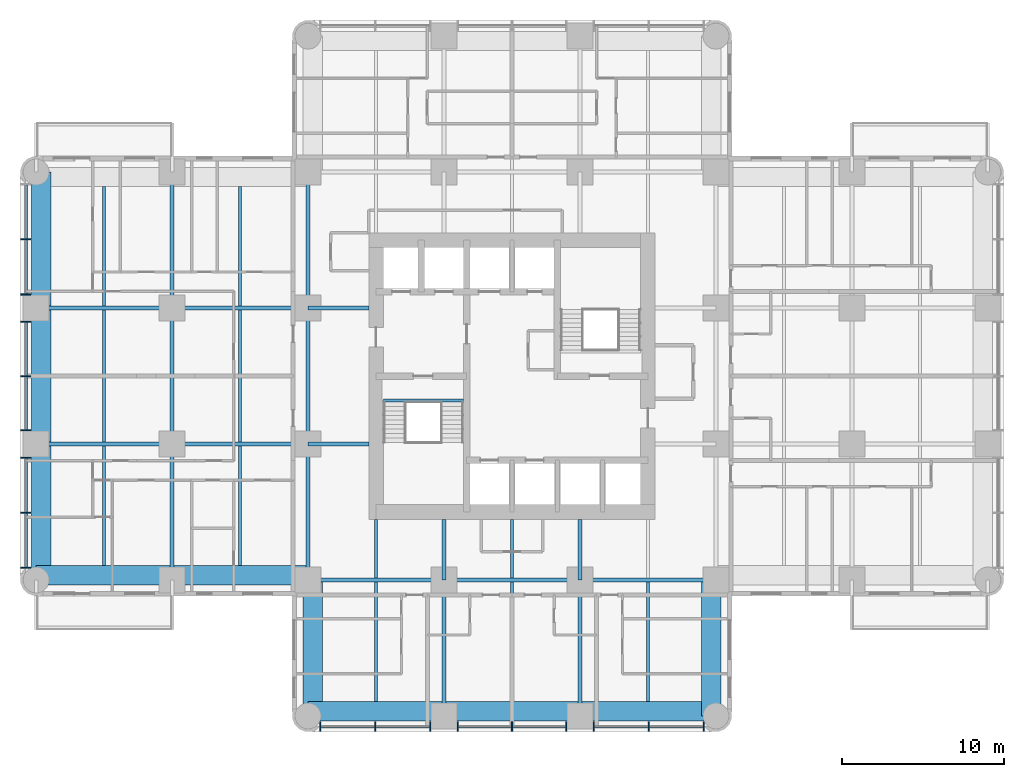
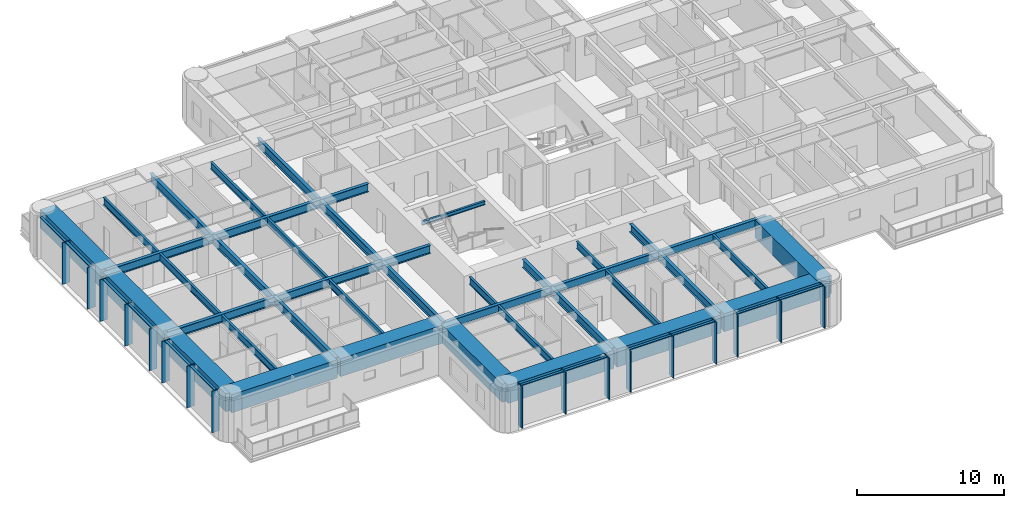
# One storey, part 2 of 14: 41 beams, 29 members, 2 elements without a shape of their own.
"""IFC4 building model written with IfcOpenShell, lengths in metres."""

from ifc_helpers import new_model, si_unit, direction, frame, origin, origin_2d, place, context, subcontext, project, spatial, rectangle, i_section, extrude, material, material_profile, profile_set, type_object, element, aggregate, save


model = new_model("IFC4")

# Units and contexts
model_context = context("Model", 3, precision=1e-05, world=origin(), true_north=direction((0.0, 1.0)))
body_context = subcontext(model_context, "Body", "Model", "MODEL_VIEW")
ifc_project = project(units=[si_unit("LENGTHUNIT", "METRE"), si_unit("AREAUNIT", "SQUARE_METRE"), si_unit("VOLUMEUNIT", "CUBIC_METRE"), si_unit("PLANEANGLEUNIT", "RADIAN"), si_unit("MASSUNIT", "GRAM", prefix="KILO")], contexts=[model_context])

# Site, building, storey
site_placement = place(None, origin())
site = spatial("IfcSite", under=ifc_project, at=site_placement, CompositionType="ELEMENT")
building_placement = place(site_placement, origin())
building = spatial("IfcBuilding", under=site, at=building_placement, Name="Torre Alcanfor", CompositionType="ELEMENT")
storey_placement = place(building_placement, frame((0.0, 0.0, 155.699951171875)))
storey = spatial("IfcBuildingStorey", under=building, at=storey_placement, Name="L40", CompositionType="ELEMENT", Elevation=155.699951171875)

# Curtain wall, members
ifc_material_1 = material(Name="Aluminium and glass", Category="aluminium")
curtain_wall_type = type_object("IfcCurtainWallType", Name="CW-A unitised apartment glazing with vertical FIN", PredefinedType="NOTDEFINED", material=ifc_material_1)
curtain_wall_1_placement = place(storey_placement, origin())
curtain_wall_1 = element("IfcCurtainWall", 1, at=curtain_wall_1_placement, inside=storey, type_object=curtain_wall_type, Name="Curtain wall CW-A L40 2", PredefinedType="NOTDEFINED")
ifc_material_2 = material(Name="Bronze anodised aluminium", Category="aluminium")
ifc_material_profile_1 = material_profile(ifc_material_2, rectangle(XDim=0.60009765625, YDim=0.06494140625, at=origin_2d()), Name="CW-A mullion 65x600")
ifc_profile_set_1 = profile_set([ifc_material_profile_1], Name="Bronze anodised aluminium")
member_type_1 = type_object("IfcMemberType", Name="CW-A mullion with vertical FIN 65x600", PredefinedType="MULLION", material=ifc_profile_set_1)
member_1_placement = place(storey_placement, frame((-0.64990234375, 37.840087890625, 0.0), z_axis=(0.0, 0.0, 1.0), x_axis=(1.0, 0.0, 0.0)))
member_1 = element("IfcMember", 2, at=member_1_placement, type_object=member_type_1, Name="CW-A mullion 1.2", PredefinedType="MULLION", context=body_context, shape_type="SweptSolid", body=[
    extrude(rectangle(XDim=0.60009765625, YDim=0.06494140625, at=origin_2d()), origin(), (0.0, 0.0, 1.0), 3.449951171875),
])
member_2_placement = place(storey_placement, frame((-0.64990234375, 34.4375, 0.0), z_axis=(0.0, 0.0, 1.0), x_axis=(1.0, 0.0, 0.0)))
member_2 = element("IfcMember", 3, at=member_2_placement, type_object=member_type_1, Name="CW-A mullion 1.3", PredefinedType="MULLION", context=body_context, shape_type="SweptSolid", body=[
    extrude(rectangle(XDim=0.60009765625, YDim=0.06494140625, at=origin_2d()), origin(), (0.0, 0.0, 1.0), 3.449951171875),
])
member_3_placement = place(storey_placement, frame((-0.64990234375, 32.762451171875, 0.0), z_axis=(0.0, 0.0, 1.0), x_axis=(1.0, 0.0, 0.0)))
member_3 = element("IfcMember", 4, at=member_3_placement, type_object=member_type_1, Name="CW-A mullion 2.1", PredefinedType="MULLION", context=body_context, shape_type="SweptSolid", body=[
    extrude(rectangle(XDim=0.60009765625, YDim=0.06494140625, at=origin_2d()), origin(), (0.0, 0.0, 1.0), 3.449951171875),
])
member_4_placement = place(storey_placement, frame((-0.64990234375, 29.39990234375, 0.0), z_axis=(0.0, 0.0, 1.0), x_axis=(1.0, 0.0, 0.0)))
member_4 = element("IfcMember", 5, at=member_4_placement, type_object=member_type_1, Name="CW-A mullion 2.2", PredefinedType="MULLION", context=body_context, shape_type="SweptSolid", body=[
    extrude(rectangle(XDim=0.60009765625, YDim=0.06494140625, at=origin_2d()), origin(), (0.0, 0.0, 1.0), 3.449951171875),
])
member_5_placement = place(storey_placement, frame((-0.64990234375, 26.03759765625, 0.0), z_axis=(0.0, 0.0, 1.0), x_axis=(1.0, 0.0, 0.0)))
member_5 = element("IfcMember", 6, at=member_5_placement, type_object=member_type_1, Name="CW-A mullion 2.3", PredefinedType="MULLION", context=body_context, shape_type="SweptSolid", body=[
    extrude(rectangle(XDim=0.60009765625, YDim=0.06494140625, at=origin_2d()), origin(), (0.0, 0.0, 1.0), 3.449951171875),
])
member_6_placement = place(storey_placement, frame((-0.64990234375, 24.362548828125, 0.0), z_axis=(0.0, 0.0, 1.0), x_axis=(1.0, 0.0, 0.0)))
member_6 = element("IfcMember", 7, at=member_6_placement, type_object=member_type_1, Name="CW-A mullion 3.1", PredefinedType="MULLION", context=body_context, shape_type="SweptSolid", body=[
    extrude(rectangle(XDim=0.60009765625, YDim=0.06494140625, at=origin_2d()), origin(), (0.0, 0.0, 1.0), 3.449951171875),
])
member_7_placement = place(storey_placement, frame((-0.64990234375, 20.9599609375, 0.0), z_axis=(0.0, 0.0, 1.0), x_axis=(1.0, 0.0, 0.0)))
member_7 = element("IfcMember", 8, at=member_7_placement, type_object=member_type_1, Name="CW-A mullion 3.2", PredefinedType="MULLION", context=body_context, shape_type="SweptSolid", body=[
    extrude(rectangle(XDim=0.60009765625, YDim=0.06494140625, at=origin_2d()), origin(), (0.0, 0.0, 1.0), 3.449951171875),
])
member_8_placement = place(storey_placement, frame((-0.64990234375, 17.557373046875, 0.0), z_axis=(0.0, 0.0, 1.0), x_axis=(1.0, 0.0, 0.0)))
member_8 = element("IfcMember", 9, at=member_8_placement, type_object=member_type_1, Name="CW-A mullion 3.3", PredefinedType="MULLION", context=body_context, shape_type="SweptSolid", body=[
    extrude(rectangle(XDim=0.60009765625, YDim=0.06494140625, at=origin_2d()), origin(), (0.0, 0.0, 1.0), 3.449951171875),
])

curtain_wall_2_placement = place(storey_placement, origin())
curtain_wall_2 = element("IfcCurtainWall", 10, at=curtain_wall_2_placement, inside=storey, type_object=curtain_wall_type, Name="Curtain wall CW-A L40 5", PredefinedType="NOTDEFINED")
member_9_placement = place(storey_placement, frame((17.557373046875, 7.75, 0.0), z_axis=(0.0, 0.0, 1.0), x_axis=(0.0, 1.0, 0.0)))
member_9 = element("IfcMember", 11, at=member_9_placement, type_object=member_type_1, Name="CW-A mullion 1.1", PredefinedType="MULLION", context=body_context, shape_type="SweptSolid", body=[
    extrude(rectangle(XDim=0.60009765625, YDim=0.06494140625, at=origin_2d()), origin(), (0.0, 0.0, 1.0), 3.449951171875),
])
member_10_placement = place(storey_placement, frame((20.9599609375, 7.75, 0.0), z_axis=(0.0, 0.0, 1.0), x_axis=(0.0, 1.0, 0.0)))
member_10 = element("IfcMember", 12, at=member_10_placement, type_object=member_type_1, Name="CW-A mullion 1.2", PredefinedType="MULLION", context=body_context, shape_type="SweptSolid", body=[
    extrude(rectangle(XDim=0.60009765625, YDim=0.06494140625, at=origin_2d()), origin(), (0.0, 0.0, 1.0), 3.449951171875),
])
member_11_placement = place(storey_placement, frame((24.362548828125, 7.75, 0.0), z_axis=(0.0, 0.0, 1.0), x_axis=(0.0, 1.0, 0.0)))
member_11 = element("IfcMember", 13, at=member_11_placement, type_object=member_type_1, Name="CW-A mullion 1.3", PredefinedType="MULLION", context=body_context, shape_type="SweptSolid", body=[
    extrude(rectangle(XDim=0.60009765625, YDim=0.06494140625, at=origin_2d()), origin(), (0.0, 0.0, 1.0), 3.449951171875),
])
member_12_placement = place(storey_placement, frame((26.03759765625, 7.75, 0.0), z_axis=(0.0, 0.0, 1.0), x_axis=(0.0, 1.0, 0.0)))
member_12 = element("IfcMember", 14, at=member_12_placement, type_object=member_type_1, Name="CW-A mullion 2.1", PredefinedType="MULLION", context=body_context, shape_type="SweptSolid", body=[
    extrude(rectangle(XDim=0.60009765625, YDim=0.06494140625, at=origin_2d()), origin(), (0.0, 0.0, 1.0), 3.449951171875),
])
member_13_placement = place(storey_placement, frame((29.39990234375, 7.75, 0.0), z_axis=(0.0, 0.0, 1.0), x_axis=(0.0, 1.0, 0.0)))
member_13 = element("IfcMember", 15, at=member_13_placement, type_object=member_type_1, Name="CW-A mullion 2.2", PredefinedType="MULLION", context=body_context, shape_type="SweptSolid", body=[
    extrude(rectangle(XDim=0.60009765625, YDim=0.06494140625, at=origin_2d()), origin(), (0.0, 0.0, 1.0), 3.449951171875),
])
member_14_placement = place(storey_placement, frame((32.762451171875, 7.75, 0.0), z_axis=(0.0, 0.0, 1.0), x_axis=(0.0, 1.0, 0.0)))
member_14 = element("IfcMember", 16, at=member_14_placement, type_object=member_type_1, Name="CW-A mullion 2.3", PredefinedType="MULLION", context=body_context, shape_type="SweptSolid", body=[
    extrude(rectangle(XDim=0.60009765625, YDim=0.06494140625, at=origin_2d()), origin(), (0.0, 0.0, 1.0), 3.449951171875),
])
member_15_placement = place(storey_placement, frame((34.4375, 7.75, 0.0), z_axis=(0.0, 0.0, 1.0), x_axis=(0.0, 1.0, 0.0)))
member_15 = element("IfcMember", 17, at=member_15_placement, type_object=member_type_1, Name="CW-A mullion 3.1", PredefinedType="MULLION", context=body_context, shape_type="SweptSolid", body=[
    extrude(rectangle(XDim=0.60009765625, YDim=0.06494140625, at=origin_2d()), origin(), (0.0, 0.0, 1.0), 3.449951171875),
])
member_16_placement = place(storey_placement, frame((37.840087890625, 7.75, 0.0), z_axis=(0.0, 0.0, 1.0), x_axis=(0.0, 1.0, 0.0)))
member_16 = element("IfcMember", 18, at=member_16_placement, type_object=member_type_1, Name="CW-A mullion 3.2", PredefinedType="MULLION", context=body_context, shape_type="SweptSolid", body=[
    extrude(rectangle(XDim=0.60009765625, YDim=0.06494140625, at=origin_2d()), origin(), (0.0, 0.0, 1.0), 3.449951171875),
])
member_17_placement = place(storey_placement, frame((41.24267578125, 7.75, 0.0), z_axis=(0.0, 0.0, 1.0), x_axis=(0.0, 1.0, 0.0)))
member_17 = element("IfcMember", 19, at=member_17_placement, type_object=member_type_1, Name="CW-A mullion 3.3", PredefinedType="MULLION", context=body_context, shape_type="SweptSolid", body=[
    extrude(rectangle(XDim=0.60009765625, YDim=0.06494140625, at=origin_2d()), origin(), (0.0, 0.0, 1.0), 3.449951171875),
])

# Member
ifc_material_3 = material(Name="Extruded aluminium", Category="aluminium")
ifc_material_profile_2 = material_profile(ifc_material_3, rectangle(XDim=0.199951171875, YDim=0.06494140625, at=origin_2d()), Name="CW-A transom 200x65")
ifc_profile_set_2 = profile_set([ifc_material_profile_2], Name="Extruded aluminium")
member_type_2 = type_object("IfcMemberType", Name="CW-A transom 65x200", PredefinedType="USERDEFINED", material=ifc_profile_set_2)
member_18_placement = place(storey_placement, frame((-0.64990234375, 41.210205078125, 3.41748046875), z_axis=(0.0, -1.0, 0.0), x_axis=(1.0, 0.0, 0.0)))
member_18 = element("IfcMember", 20, at=member_18_placement, type_object=member_type_2, Name="CW-A transom 1.1.2", ObjectType="TRANSOM", PredefinedType="USERDEFINED", context=body_context, shape_type="SweptSolid", body=[
    extrude(rectangle(XDim=0.199951171875, YDim=0.06494140625, at=origin_2d()), origin(), (0.0, 0.0, 1.0), 3.337646484375),
])

member_19_placement = place(storey_placement, frame((-0.64990234375, 37.8076171875, 3.41748046875), z_axis=(0.0, -1.0, 0.0), x_axis=(1.0, 0.0, 0.0)))
member_19 = element("IfcMember", 21, at=member_19_placement, type_object=member_type_2, Name="CW-A transom 1.2.2", ObjectType="TRANSOM", PredefinedType="USERDEFINED", context=body_context, shape_type="SweptSolid", body=[
    extrude(rectangle(XDim=0.199951171875, YDim=0.06494140625, at=origin_2d()), origin(), (0.0, 0.0, 1.0), 3.337646484375),
])

member_20_placement = place(storey_placement, frame((-0.64990234375, 32.72998046875, 3.41748046875), z_axis=(0.0, -1.0, 0.0), x_axis=(1.0, 0.0, 0.0)))
member_20 = element("IfcMember", 22, at=member_20_placement, type_object=member_type_2, Name="CW-A transom 2.1.2", ObjectType="TRANSOM", PredefinedType="USERDEFINED", context=body_context, shape_type="SweptSolid", body=[
    extrude(rectangle(XDim=0.199951171875, YDim=0.06494140625, at=origin_2d()), origin(), (0.0, 0.0, 1.0), 3.29736328125),
])

member_21_placement = place(storey_placement, frame((-0.64990234375, 29.367431640625, 3.41748046875), z_axis=(0.0, -1.0, 0.0), x_axis=(1.0, 0.0, 0.0)))
member_21 = element("IfcMember", 23, at=member_21_placement, type_object=member_type_2, Name="CW-A transom 2.2.2", ObjectType="TRANSOM", PredefinedType="USERDEFINED", context=body_context, shape_type="SweptSolid", body=[
    extrude(rectangle(XDim=0.199951171875, YDim=0.06494140625, at=origin_2d()), origin(), (0.0, 0.0, 1.0), 3.29736328125),
])

member_22_placement = place(storey_placement, frame((-0.64990234375, 24.330078125, 3.41748046875), z_axis=(0.0, -1.0, 0.0), x_axis=(1.0, 0.0, 0.0)))
member_22 = element("IfcMember", 24, at=member_22_placement, type_object=member_type_2, Name="CW-A transom 3.1.2", ObjectType="TRANSOM", PredefinedType="USERDEFINED", context=body_context, shape_type="SweptSolid", body=[
    extrude(rectangle(XDim=0.199951171875, YDim=0.06494140625, at=origin_2d()), origin(), (0.0, 0.0, 1.0), 3.337646484375),
])

member_23_placement = place(storey_placement, frame((-0.64990234375, 20.927490234375, 3.41748046875), z_axis=(0.0, -1.0, 0.0), x_axis=(1.0, 0.0, 0.0)))
member_23 = element("IfcMember", 25, at=member_23_placement, type_object=member_type_2, Name="CW-A transom 3.2.2", ObjectType="TRANSOM", PredefinedType="USERDEFINED", context=body_context, shape_type="SweptSolid", body=[
    extrude(rectangle(XDim=0.199951171875, YDim=0.06494140625, at=origin_2d()), origin(), (0.0, 0.0, 1.0), 3.337646484375),
])

aggregate(curtain_wall_1, [member_1, member_2, member_18, member_19, member_3, member_4, member_5, member_20, member_21, member_6, member_7, member_8, member_22, member_23])

member_24_placement = place(storey_placement, frame((17.58984375, 7.75, 3.41748046875), z_axis=(1.0, 0.0, 0.0), x_axis=(0.0, 1.0, 0.0)))
member_24 = element("IfcMember", 26, at=member_24_placement, type_object=member_type_2, Name="CW-A transom 1.1.2", ObjectType="TRANSOM", PredefinedType="USERDEFINED", context=body_context, shape_type="SweptSolid", body=[
    extrude(rectangle(XDim=0.199951171875, YDim=0.06494140625, at=origin_2d()), origin(), (0.0, 0.0, 1.0), 3.337646484375),
])

member_25_placement = place(storey_placement, frame((20.992431640625, 7.75, 3.41748046875), z_axis=(1.0, 0.0, 0.0), x_axis=(0.0, 1.0, 0.0)))
member_25 = element("IfcMember", 27, at=member_25_placement, type_object=member_type_2, Name="CW-A transom 1.2.2", ObjectType="TRANSOM", PredefinedType="USERDEFINED", context=body_context, shape_type="SweptSolid", body=[
    extrude(rectangle(XDim=0.199951171875, YDim=0.06494140625, at=origin_2d()), origin(), (0.0, 0.0, 1.0), 3.337646484375),
])

member_26_placement = place(storey_placement, frame((26.070068359375, 7.75, 3.41748046875), z_axis=(1.0, 0.0, 0.0), x_axis=(0.0, 1.0, 0.0)))
member_26 = element("IfcMember", 28, at=member_26_placement, type_object=member_type_2, Name="CW-A transom 2.1.2", ObjectType="TRANSOM", PredefinedType="USERDEFINED", context=body_context, shape_type="SweptSolid", body=[
    extrude(rectangle(XDim=0.199951171875, YDim=0.06494140625, at=origin_2d()), origin(), (0.0, 0.0, 1.0), 3.29736328125),
])

member_27_placement = place(storey_placement, frame((29.4326171875, 7.75, 3.41748046875), z_axis=(1.0, 0.0, 0.0), x_axis=(0.0, 1.0, 0.0)))
member_27 = element("IfcMember", 29, at=member_27_placement, type_object=member_type_2, Name="CW-A transom 2.2.2", ObjectType="TRANSOM", PredefinedType="USERDEFINED", context=body_context, shape_type="SweptSolid", body=[
    extrude(rectangle(XDim=0.199951171875, YDim=0.06494140625, at=origin_2d()), origin(), (0.0, 0.0, 1.0), 3.29736328125),
])

member_28_placement = place(storey_placement, frame((34.469970703125, 7.75, 3.41748046875), z_axis=(1.0, 0.0, 0.0), x_axis=(0.0, 1.0, 0.0)))
member_28 = element("IfcMember", 30, at=member_28_placement, type_object=member_type_2, Name="CW-A transom 3.1.2", ObjectType="TRANSOM", PredefinedType="USERDEFINED", context=body_context, shape_type="SweptSolid", body=[
    extrude(rectangle(XDim=0.199951171875, YDim=0.06494140625, at=origin_2d()), origin(), (0.0, 0.0, 1.0), 3.337646484375),
])

member_29_placement = place(storey_placement, frame((37.87255859375, 7.75, 3.41748046875), z_axis=(1.0, 0.0, 0.0), x_axis=(0.0, 1.0, 0.0)))
member_29 = element("IfcMember", 31, at=member_29_placement, type_object=member_type_2, Name="CW-A transom 3.2.2", ObjectType="TRANSOM", PredefinedType="USERDEFINED", context=body_context, shape_type="SweptSolid", body=[
    extrude(rectangle(XDim=0.199951171875, YDim=0.06494140625, at=origin_2d()), origin(), (0.0, 0.0, 1.0), 3.337646484375),
])

aggregate(curtain_wall_2, [member_9, member_10, member_11, member_24, member_25, member_12, member_13, member_14, member_26, member_27, member_15, member_16, member_17, member_28, member_29])

# Beams
ifc_material_4 = material(Name="Steel ASTM A992 Grade 50", Category="steel")
ifc_material_profile_3 = material_profile(ifc_material_4, i_section(OverallWidth=0.25390625, OverallDepth=0.683349609375, WebThickness=0.012451171875, FlangeThickness=0.01904296875, at=origin_2d()), Name="W27x94")
ifc_profile_set_3 = profile_set([ifc_material_profile_3], Name="Steel ASTM A992 Grade 50")
beam_type_1 = type_object("IfcBeamType", Name="Girder W27x94", PredefinedType="BEAM", material=ifc_profile_set_3)
beam_1_placement = place(storey_placement, frame((16.800048828125, 16.800048828125, 3.1083984375), z_axis=(1.0, 0.0, 0.0), x_axis=(0.0, 1.0, 0.0)))
element("IfcBeam", 32, at=beam_1_placement, inside=storey, type_object=beam_type_1, Name="Beam 3E-4E under L41", PredefinedType="BEAM", context=body_context, shape_type="SweptSolid", body=[
    extrude(i_section(OverallWidth=0.25390625, OverallDepth=0.683349609375, WebThickness=0.012451171875, FlangeThickness=0.01904296875, at=origin_2d()), origin(), (0.0, 0.0, 1.0), 8.39990234375),
])
beam_2_placement = place(storey_placement, frame((25.199951171875, 16.800048828125, 3.1083984375), z_axis=(1.0, 0.0, 0.0), x_axis=(0.0, 1.0, 0.0)))
element("IfcBeam", 33, at=beam_2_placement, inside=storey, type_object=beam_type_1, Name="Beam 4E-5E under L41", PredefinedType="BEAM", context=body_context, shape_type="SweptSolid", body=[
    extrude(i_section(OverallWidth=0.25390625, OverallDepth=0.683349609375, WebThickness=0.012451171875, FlangeThickness=0.01904296875, at=origin_2d()), origin(), (0.0, 0.0, 1.0), 8.400146484375),
])
for number, where, z_axis, x_axis, name in (
    (34, (33.60009765625, 16.800048828125, 3.1083984375), (1.0, 0.0, 0.0), (0.0, 1.0, 0.0), "Beam 5E-6E under L41"),
    (35, (0.0, 25.199951171875, 3.1083984375), (1.0, 0.0, 0.0), (0.0, 1.0, 0.0), "Beam 1F-2F under L41"),
):
    element("IfcBeam", number, at=place(storey_placement, frame(where, z_axis=z_axis, x_axis=x_axis)), inside=storey, type_object=beam_type_1, Name=name, PredefinedType="BEAM", context=body_context, shape_type="SweptSolid", body=[
        extrude(i_section(OverallWidth=0.25390625, OverallDepth=0.683349609375, WebThickness=0.012451171875, FlangeThickness=0.01904296875, at=origin_2d()), origin(), (0.0, 0.0, 1.0), 8.39990234375),
    ])
beam_3_placement = place(storey_placement, frame((8.39990234375, 25.199951171875, 3.1083984375), z_axis=(1.0, 0.0, 0.0), x_axis=(0.0, 1.0, 0.0)))
element("IfcBeam", 36, at=beam_3_placement, inside=storey, type_object=beam_type_1, Name="Beam 2F-3F under L41", PredefinedType="BEAM", context=body_context, shape_type="SweptSolid", body=[
    extrude(i_section(OverallWidth=0.25390625, OverallDepth=0.683349609375, WebThickness=0.012451171875, FlangeThickness=0.01904296875, at=origin_2d()), origin(), (0.0, 0.0, 1.0), 8.400146484375),
])
beam_4_placement = place(storey_placement, frame((0.0, 33.60009765625, 3.1083984375), z_axis=(1.0, 0.0, 0.0), x_axis=(0.0, 1.0, 0.0)))
element("IfcBeam", 37, at=beam_4_placement, inside=storey, type_object=beam_type_1, Name="Beam 1G-2G under L41", PredefinedType="BEAM", context=body_context, shape_type="SweptSolid", body=[
    extrude(i_section(OverallWidth=0.25390625, OverallDepth=0.683349609375, WebThickness=0.012451171875, FlangeThickness=0.01904296875, at=origin_2d()), origin(), (0.0, 0.0, 1.0), 8.39990234375),
])
beam_5_placement = place(storey_placement, frame((8.39990234375, 33.60009765625, 3.1083984375), z_axis=(1.0, 0.0, 0.0), x_axis=(0.0, 1.0, 0.0)))
element("IfcBeam", 38, at=beam_5_placement, inside=storey, type_object=beam_type_1, Name="Beam 2G-3G under L41", PredefinedType="BEAM", context=body_context, shape_type="SweptSolid", body=[
    extrude(i_section(OverallWidth=0.25390625, OverallDepth=0.683349609375, WebThickness=0.012451171875, FlangeThickness=0.01904296875, at=origin_2d()), origin(), (0.0, 0.0, 1.0), 8.400146484375),
])
beam_6_placement = place(storey_placement, frame((8.39990234375, 16.800048828125, 3.1083984375), z_axis=(0.0, 1.0, 0.0), x_axis=(-1.0, 0.0, 0.0)))
element("IfcBeam", 39, at=beam_6_placement, inside=storey, type_object=beam_type_1, Name="Beam 2E-2F under L41", PredefinedType="BEAM", context=body_context, shape_type="SweptSolid", body=[
    extrude(i_section(OverallWidth=0.25390625, OverallDepth=0.683349609375, WebThickness=0.012451171875, FlangeThickness=0.01904296875, at=origin_2d()), origin(), (0.0, 0.0, 1.0), 8.39990234375),
])
beam_7_placement = place(storey_placement, frame((8.39990234375, 25.199951171875, 3.1083984375), z_axis=(0.0, 1.0, 0.0), x_axis=(-1.0, 0.0, 0.0)))
element("IfcBeam", 40, at=beam_7_placement, inside=storey, type_object=beam_type_1, Name="Beam 2F-2G under L41", PredefinedType="BEAM", context=body_context, shape_type="SweptSolid", body=[
    extrude(i_section(OverallWidth=0.25390625, OverallDepth=0.683349609375, WebThickness=0.012451171875, FlangeThickness=0.01904296875, at=origin_2d()), origin(), (0.0, 0.0, 1.0), 8.400146484375),
])
for number, where, z_axis, x_axis, name in (
    (41, (8.39990234375, 33.60009765625, 3.1083984375), (0.0, 1.0, 0.0), (-1.0, 0.0, 0.0), "Beam 2G-2H under L41"),
    (42, (16.800048828125, 16.800048828125, 3.1083984375), (0.0, 1.0, 0.0), (-1.0, 0.0, 0.0), "Beam 3E-3F under L41"),
):
    element("IfcBeam", number, at=place(storey_placement, frame(where, z_axis=z_axis, x_axis=x_axis)), inside=storey, type_object=beam_type_1, Name=name, PredefinedType="BEAM", context=body_context, shape_type="SweptSolid", body=[
        extrude(i_section(OverallWidth=0.25390625, OverallDepth=0.683349609375, WebThickness=0.012451171875, FlangeThickness=0.01904296875, at=origin_2d()), origin(), (0.0, 0.0, 1.0), 8.39990234375),
    ])
beam_8_placement = place(storey_placement, frame((16.800048828125, 25.199951171875, 3.1083984375), z_axis=(0.0, 1.0, 0.0), x_axis=(-1.0, 0.0, 0.0)))
element("IfcBeam", 43, at=beam_8_placement, inside=storey, type_object=beam_type_1, Name="Beam 3F-3G under L41", PredefinedType="BEAM", context=body_context, shape_type="SweptSolid", body=[
    extrude(i_section(OverallWidth=0.25390625, OverallDepth=0.683349609375, WebThickness=0.012451171875, FlangeThickness=0.01904296875, at=origin_2d()), origin(), (0.0, 0.0, 1.0), 8.400146484375),
])
beam_9_placement = place(storey_placement, frame((16.800048828125, 33.60009765625, 3.1083984375), z_axis=(0.0, 1.0, 0.0), x_axis=(-1.0, 0.0, 0.0)))
element("IfcBeam", 44, at=beam_9_placement, inside=storey, type_object=beam_type_1, Name="Beam 3G-3H under L41", PredefinedType="BEAM", context=body_context, shape_type="SweptSolid", body=[
    extrude(i_section(OverallWidth=0.25390625, OverallDepth=0.683349609375, WebThickness=0.012451171875, FlangeThickness=0.01904296875, at=origin_2d()), origin(), (0.0, 0.0, 1.0), 8.39990234375),
])
for number, where, z_axis, x_axis, name in (
    (45, (25.199951171875, 8.39990234375, 3.1083984375), (0.0, 1.0, 0.0), (-1.0, 0.0, 0.0), "Beam 4D-4E under L41"),
    (46, (33.60009765625, 8.39990234375, 3.1083984375), (0.0, 1.0, 0.0), (-1.0, 0.0, 0.0), "Beam 5D-5E under L41"),
):
    element("IfcBeam", number, at=place(storey_placement, frame(where, z_axis=z_axis, x_axis=x_axis)), inside=storey, type_object=beam_type_1, Name=name, PredefinedType="BEAM", context=body_context, shape_type="SweptSolid", body=[
        extrude(i_section(OverallWidth=0.25390625, OverallDepth=0.683349609375, WebThickness=0.012451171875, FlangeThickness=0.01904296875, at=origin_2d()), origin(), (0.0, 0.0, 1.0), 8.400146484375),
    ])
ifc_material_5 = material(Name="Steel ASTM A992 Grade 50", Category="steel")
ifc_material_profile_4 = material_profile(ifc_material_5, i_section(OverallWidth=0.25390625, OverallDepth=0.683349609375, WebThickness=0.012451171875, FlangeThickness=0.01904296875, at=origin_2d()), Name="W27x94")
ifc_profile_set_4 = profile_set([ifc_material_profile_4], Name="Steel ASTM A992 Grade 50")
beam_type_2 = type_object("IfcBeamType", Name="Girder, part bay W27x94", PredefinedType="BEAM", material=ifc_profile_set_4)
for number, where, z_axis, x_axis, name in (
    (47, (25.199951171875, 16.800048828125, 3.1083984375), (0.0, 1.0, 0.0), (-1.0, 0.0, 0.0), "Beam 4E-420_55 under L41"),
    (48, (33.60009765625, 16.800048828125, 3.1083984375), (0.0, 1.0, 0.0), (-1.0, 0.0, 0.0), "Beam 5E-520_55 under L41"),
    (49, (16.800048828125, 25.199951171875, 3.1083984375), (1.0, 0.0, 0.0), (0.0, 1.0, 0.0), "Beam 3F-20_55F under L41"),
    (50, (16.800048828125, 33.60009765625, 3.1083984375), (1.0, 0.0, 0.0), (0.0, 1.0, 0.0), "Beam 3G-20_55G under L41"),
):
    element("IfcBeam", number, at=place(storey_placement, frame(where, z_axis=z_axis, x_axis=x_axis)), inside=storey, type_object=beam_type_2, Name=name, PredefinedType="BEAM", context=body_context, shape_type="SweptSolid", body=[
        extrude(i_section(OverallWidth=0.25390625, OverallDepth=0.683349609375, WebThickness=0.012451171875, FlangeThickness=0.01904296875, at=origin_2d()), origin(), (0.0, 0.0, 1.0), 3.75),
    ])
ifc_material_6 = material(Name="Concrete f'c 70 MPa", Category="concrete")
ifc_material_profile_5 = material_profile(ifc_material_6, rectangle(XDim=1.199951171875, YDim=1.5, at=origin_2d()), Name="1200x1500")
ifc_profile_set_5 = profile_set([ifc_material_profile_5], Name="Concrete f'c 70 MPa")
beam_type_3 = type_object("IfcBeamType", Name="RC perimeter beam 1200x1500", PredefinedType="BEAM", material=ifc_profile_set_5)
beam_10_placement = place(storey_placement, frame((16.800048828125, 8.699951171875, 2.699951171875), z_axis=(1.0, 0.0, 0.0), x_axis=(0.0, 1.0, 0.0)))
element("IfcBeam", 51, at=beam_10_placement, inside=storey, type_object=beam_type_3, Name="Beam 3D-4D under L41", PredefinedType="BEAM", context=body_context, shape_type="SweptSolid", body=[
    extrude(rectangle(XDim=1.199951171875, YDim=1.5, at=origin_2d()), origin(), (0.0, 0.0, 1.0), 8.27294921875),
])
beam_11_placement = place(storey_placement, frame((25.326904296875, 8.699951171875, 2.699951171875), z_axis=(1.0, 0.0, 0.0), x_axis=(0.0, 1.0, 0.0)))
element("IfcBeam", 52, at=beam_11_placement, inside=storey, type_object=beam_type_3, Name="Beam 4D-5D under L41", PredefinedType="BEAM", context=body_context, shape_type="SweptSolid", body=[
    extrude(rectangle(XDim=1.199951171875, YDim=1.5, at=origin_2d()), origin(), (0.0, 0.0, 1.0), 8.14599609375),
])
for number, where, z_axis, x_axis, name in (
    (53, (33.72705078125, 8.699951171875, 2.699951171875), (1.0, 0.0, 0.0), (0.0, 1.0, 0.0), "Beam 5D-6D under L41"),
    (54, (0.0, 17.10009765625, 2.699951171875), (1.0, 0.0, 0.0), (0.0, 1.0, 0.0), "Beam 1E-2E under L41"),
):
    element("IfcBeam", number, at=place(storey_placement, frame(where, z_axis=z_axis, x_axis=x_axis)), inside=storey, type_object=beam_type_3, Name=name, PredefinedType="BEAM", context=body_context, shape_type="SweptSolid", body=[
        extrude(rectangle(XDim=1.199951171875, YDim=1.5, at=origin_2d()), origin(), (0.0, 0.0, 1.0), 8.27294921875),
    ])
beam_12_placement = place(storey_placement, frame((8.527099609375, 17.10009765625, 2.699951171875), z_axis=(1.0, 0.0, 0.0), x_axis=(0.0, 1.0, 0.0)))
element("IfcBeam", 55, at=beam_12_placement, inside=storey, type_object=beam_type_3, Name="Beam 2E-3E under L41", PredefinedType="BEAM", context=body_context, shape_type="SweptSolid", body=[
    extrude(rectangle(XDim=1.199951171875, YDim=1.5, at=origin_2d()), origin(), (0.0, 0.0, 1.0), 8.39990234375),
])
beam_13_placement = place(storey_placement, frame((0.300048828125, 16.800048828125, 2.699951171875), z_axis=(0.0, 1.0, 0.0), x_axis=(-1.0, 0.0, 0.0)))
element("IfcBeam", 56, at=beam_13_placement, inside=storey, type_object=beam_type_3, Name="Beam 1E-1F under L41", PredefinedType="BEAM", context=body_context, shape_type="SweptSolid", body=[
    extrude(rectangle(XDim=1.199951171875, YDim=1.5, at=origin_2d()), origin(), (0.0, 0.0, 1.0), 8.27294921875),
])
beam_14_placement = place(storey_placement, frame((0.300048828125, 25.326904296875, 2.699951171875), z_axis=(0.0, 1.0, 0.0), x_axis=(-1.0, 0.0, 0.0)))
element("IfcBeam", 57, at=beam_14_placement, inside=storey, type_object=beam_type_3, Name="Beam 1F-1G under L41", PredefinedType="BEAM", context=body_context, shape_type="SweptSolid", body=[
    extrude(rectangle(XDim=1.199951171875, YDim=1.5, at=origin_2d()), origin(), (0.0, 0.0, 1.0), 8.14599609375),
])
beam_15_placement = place(storey_placement, frame((0.300048828125, 33.72705078125, 2.699951171875), z_axis=(0.0, 1.0, 0.0), x_axis=(-1.0, 0.0, 0.0)))
element("IfcBeam", 58, at=beam_15_placement, inside=storey, type_object=beam_type_3, Name="Beam 1G-1H under L41", PredefinedType="BEAM", context=body_context, shape_type="SweptSolid", body=[
    extrude(rectangle(XDim=1.199951171875, YDim=1.5, at=origin_2d()), origin(), (0.0, 0.0, 1.0), 8.27294921875),
])
for number, where, z_axis, x_axis, name in (
    (59, (17.10009765625, 8.39990234375, 2.699951171875), (0.0, 1.0, 0.0), (-1.0, 0.0, 0.0), "Beam 3D-3E under L41"),
    (60, (41.699951171875, 8.39990234375, 2.699951171875), (0.0, 1.0, 0.0), (-1.0, 0.0, 0.0), "Beam 6D-6E under L41"),
):
    element("IfcBeam", number, at=place(storey_placement, frame(where, z_axis=z_axis, x_axis=x_axis)), inside=storey, type_object=beam_type_3, Name=name, PredefinedType="BEAM", context=body_context, shape_type="SweptSolid", body=[
        extrude(rectangle(XDim=1.199951171875, YDim=1.5, at=origin_2d()), origin(), (0.0, 0.0, 1.0), 8.273193359375),
    ])
ifc_material_7 = material(Name="Steel ASTM A992 Grade 50", Category="steel")
ifc_material_profile_6 = material_profile(ifc_material_7, i_section(OverallWidth=0.1787109375, OverallDepth=0.60205078125, WebThickness=0.010986328125, FlangeThickness=0.014892578125, at=origin_2d()), Name="W24x62")
ifc_profile_set_6 = profile_set([ifc_material_profile_6], Name="Steel ASTM A992 Grade 50")
beam_type_4 = type_object("IfcBeamType", Name="Secondary beam W24x62", PredefinedType="BEAM", material=ifc_profile_set_6)
beam_16_placement = place(storey_placement, frame((4.199951171875, 17.699951171875, 3.149169921875), z_axis=(0.0, 1.0, 0.0), x_axis=(-1.0, 0.0, 0.0)))
element("IfcBeam", 61, at=beam_16_placement, inside=storey, type_object=beam_type_4, Name="Beam 4_2E-4_2F under L41", PredefinedType="BEAM", context=body_context, shape_type="SweptSolid", body=[
    extrude(i_section(OverallWidth=0.1787109375, OverallDepth=0.60205078125, WebThickness=0.010986328125, FlangeThickness=0.014892578125, at=origin_2d()), origin(), (0.0, 0.0, 1.0), 7.373046875),
])
beam_17_placement = place(storey_placement, frame((4.199951171875, 25.326904296875, 3.149169921875), z_axis=(0.0, 1.0, 0.0), x_axis=(-1.0, 0.0, 0.0)))
element("IfcBeam", 62, at=beam_17_placement, inside=storey, type_object=beam_type_4, Name="Beam 4_2F-4_2G under L41", PredefinedType="BEAM", context=body_context, shape_type="SweptSolid", body=[
    extrude(i_section(OverallWidth=0.1787109375, OverallDepth=0.60205078125, WebThickness=0.010986328125, FlangeThickness=0.014892578125, at=origin_2d()), origin(), (0.0, 0.0, 1.0), 8.14599609375),
])
for number, where, z_axis, x_axis, name in (
    (63, (4.199951171875, 33.72705078125, 3.149169921875), (0.0, 1.0, 0.0), (-1.0, 0.0, 0.0), "Beam 4_2G-4_2H under L41"),
    (64, (12.60009765625, 17.699951171875, 3.149169921875), (0.0, 1.0, 0.0), (-1.0, 0.0, 0.0), "Beam 12_6E-12_6F under L41"),
):
    element("IfcBeam", number, at=place(storey_placement, frame(where, z_axis=z_axis, x_axis=x_axis)), inside=storey, type_object=beam_type_4, Name=name, PredefinedType="BEAM", context=body_context, shape_type="SweptSolid", body=[
        extrude(i_section(OverallWidth=0.1787109375, OverallDepth=0.60205078125, WebThickness=0.010986328125, FlangeThickness=0.014892578125, at=origin_2d()), origin(), (0.0, 0.0, 1.0), 7.373046875),
    ])
beam_18_placement = place(storey_placement, frame((12.60009765625, 25.326904296875, 3.149169921875), z_axis=(0.0, 1.0, 0.0), x_axis=(-1.0, 0.0, 0.0)))
element("IfcBeam", 65, at=beam_18_placement, inside=storey, type_object=beam_type_4, Name="Beam 12_6F-12_6G under L41", PredefinedType="BEAM", context=body_context, shape_type="SweptSolid", body=[
    extrude(i_section(OverallWidth=0.1787109375, OverallDepth=0.60205078125, WebThickness=0.010986328125, FlangeThickness=0.014892578125, at=origin_2d()), origin(), (0.0, 0.0, 1.0), 8.14599609375),
])
for number, where, z_axis, x_axis, name in (
    (66, (12.60009765625, 33.72705078125, 3.149169921875), (0.0, 1.0, 0.0), (-1.0, 0.0, 0.0), "Beam 12_6G-12_6H under L41"),
    (67, (21.0, 9.300048828125, 3.149169921875), (0.0, 1.0, 0.0), (-1.0, 0.0, 0.0), "Beam 21D-21E under L41"),
    (68, (29.39990234375, 9.300048828125, 3.149169921875), (0.0, 1.0, 0.0), (-1.0, 0.0, 0.0), "Beam 29_4D-29_4E under L41"),
    (69, (37.800048828125, 9.300048828125, 3.149169921875), (0.0, 1.0, 0.0), (-1.0, 0.0, 0.0), "Beam 37_8D-37_8E under L41"),
):
    element("IfcBeam", number, at=place(storey_placement, frame(where, z_axis=z_axis, x_axis=x_axis)), inside=storey, type_object=beam_type_4, Name=name, PredefinedType="BEAM", context=body_context, shape_type="SweptSolid", body=[
        extrude(i_section(OverallWidth=0.1787109375, OverallDepth=0.60205078125, WebThickness=0.010986328125, FlangeThickness=0.014892578125, at=origin_2d()), origin(), (0.0, 0.0, 1.0), 7.373046875),
    ])
ifc_material_8 = material(Name="Steel ASTM A992 Grade 50", Category="steel")
ifc_material_profile_7 = material_profile(ifc_material_8, i_section(OverallWidth=0.1787109375, OverallDepth=0.60205078125, WebThickness=0.010986328125, FlangeThickness=0.014892578125, at=origin_2d()), Name="W24x62")
ifc_profile_set_7 = profile_set([ifc_material_profile_7], Name="Steel ASTM A992 Grade 50")
beam_type_5 = type_object("IfcBeamType", Name="Secondary beam, part bay W24x62", PredefinedType="BEAM", material=ifc_profile_set_7)
for number, where, z_axis, x_axis, name in (
    (70, (21.0, 16.927001953125, 3.149169921875), (0.0, 1.0, 0.0), (-1.0, 0.0, 0.0), "Beam 21E-2120_55 under L41"),
    (71, (29.39990234375, 16.927001953125, 3.149169921875), (0.0, 1.0, 0.0), (-1.0, 0.0, 0.0), "Beam 29_4E-29_420_55 under L41"),
):
    element("IfcBeam", number, at=place(storey_placement, frame(where, z_axis=z_axis, x_axis=x_axis)), inside=storey, type_object=beam_type_5, Name=name, PredefinedType="BEAM", context=body_context, shape_type="SweptSolid", body=[
        extrude(i_section(OverallWidth=0.1787109375, OverallDepth=0.60205078125, WebThickness=0.010986328125, FlangeThickness=0.014892578125, at=origin_2d()), origin(), (0.0, 0.0, 1.0), 3.623046875),
    ])
ifc_material_9 = material(Name="Steel ASTM A992 Grade 50", Category="steel")
ifc_material_profile_8 = material_profile(ifc_material_9, i_section(OverallWidth=0.164794921875, OverallDepth=0.309814453125, WebThickness=0.005859375, FlangeThickness=0.009765625, at=origin_2d()), Name="W12x26")
ifc_profile_set_8 = profile_set([ifc_material_profile_8], Name="Steel ASTM A992 Grade 50")
beam_type_6 = type_object("IfcBeamType", Name="Stair landing beam W12x26", PredefinedType="BEAM", material=ifc_profile_set_8)
beam_19_placement = place(storey_placement, frame((21.449951171875, 27.887451171875, 3.2451171875), z_axis=(1.0, 0.0, 0.0), x_axis=(0.0, 1.0, 0.0)))
element("IfcBeam", 72, at=beam_19_placement, inside=storey, type_object=beam_type_6, Name="Landing trimmer S1 L41", PredefinedType="BEAM", context=body_context, shape_type="SweptSolid", body=[
    extrude(i_section(OverallWidth=0.164794921875, OverallDepth=0.309814453125, WebThickness=0.005859375, FlangeThickness=0.009765625, at=origin_2d()), origin(), (0.0, 0.0, 1.0), 4.949951171875),
])

save(model, "model.ifc")
